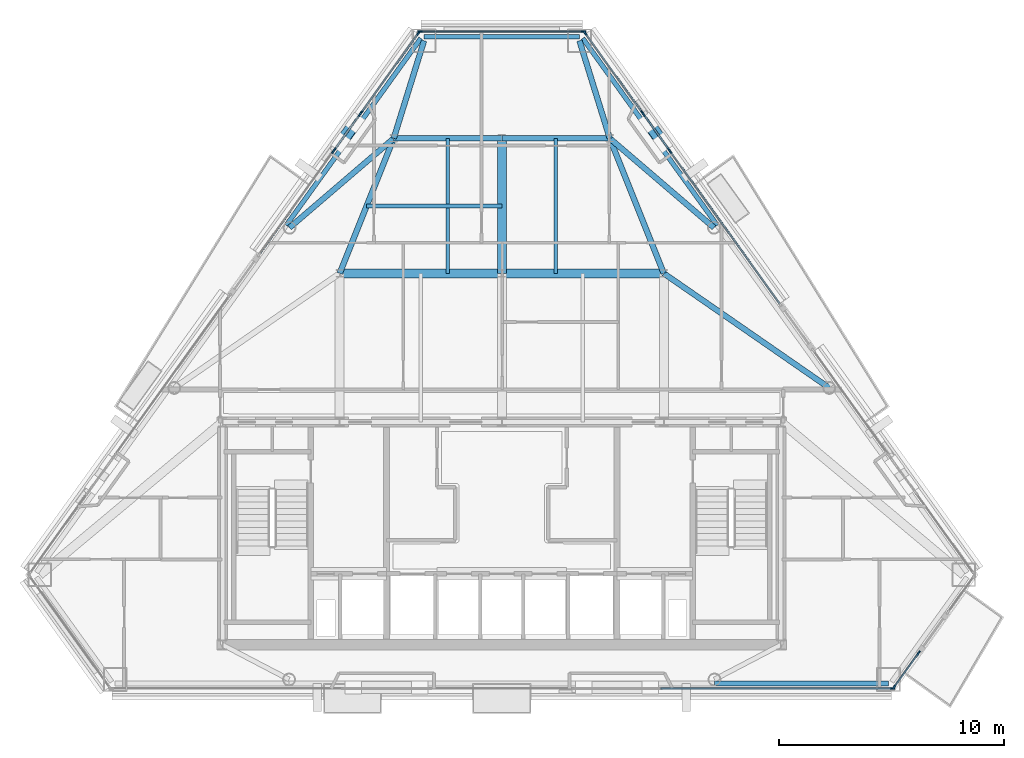
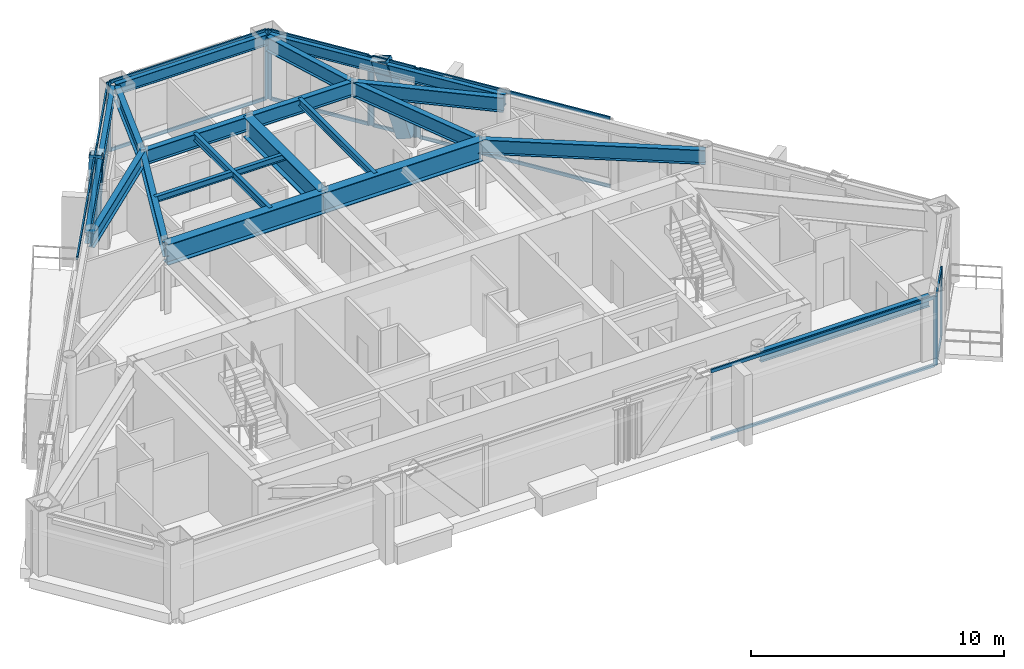
# One storey, part 4 of 12: 34 members, 19 beams, 9 elements without a shape of their own.
"""IFC4 building model written with IfcOpenShell, lengths in metres."""

from ifc_helpers import new_model, si_unit, direction, frame, origin, origin_2d, place, context, subcontext, project, spatial, rectangle, hollow_rectangle, i_section, extrude, material, layer, layer_set, material_profile, profile_set, type_object, element, aggregate, save


model = new_model("IFC4")

# Units and contexts
model_context = context("Model", 3, precision=1e-05, world=origin(), true_north=direction((0.0, 1.0)))
body_context = subcontext(model_context, "Body", "Model", "MODEL_VIEW")
ifc_project = project(units=[si_unit("LENGTHUNIT", "METRE"), si_unit("AREAUNIT", "SQUARE_METRE"), si_unit("VOLUMEUNIT", "CUBIC_METRE"), si_unit("PLANEANGLEUNIT", "RADIAN"), si_unit("MASSUNIT", "GRAM", prefix="KILO")], contexts=[model_context])

# Site, building, storey
site_placement = place(None, origin())
site = spatial("IfcSite", under=ifc_project, at=site_placement, CompositionType="ELEMENT")
building_placement = place(site_placement, origin())
building = spatial("IfcBuilding", under=site, at=building_placement, Name="Talgorran Terracotta Tower", CompositionType="ELEMENT")
storey_placement = place(building_placement, frame((0.0, 0.0, 192.89990234375)))
storey = spatial("IfcBuildingStorey", under=building, at=storey_placement, Name="L50", CompositionType="ELEMENT", Elevation=192.89990234375)

# Beams
ifc_material_1 = material(Name="Steel Grade 350 (350L0)", Category="steel")
ifc_material_profile_1 = material_profile(ifc_material_1, i_section(OverallWidth=0.39990234375, OverallDepth=1.0, WebThickness=0.01611328125, FlangeThickness=0.031005859375, at=origin_2d()), Name="1000WB296")
ifc_profile_set_1 = profile_set([ifc_material_profile_1], Name="Steel Grade 350 (350L0)")
beam_type_1 = type_object("IfcBeamType", Name="BM_1000WB296", PredefinedType="BEAM", material=ifc_profile_set_1)
for number, where, z_axis, x_axis, name in (
    (1, (-7.199951171875, 2.39990234375, 2.85009765625), (1.0, 0.0, 0.0), (0.0, 1.0, 0.0), "L50 Floor Girder G04"),
    (2, (0.0, 2.39990234375, 2.85009765625), (1.0, 0.0, 0.0), (0.0, 1.0, 0.0), "L50 Floor Girder G05"),
):
    element("IfcBeam", number, at=place(storey_placement, frame(where, z_axis=z_axis, x_axis=x_axis)), inside=storey, type_object=beam_type_1, Name=name, PredefinedType="BEAM", context=body_context, shape_type="SweptSolid", body=[
        extrude(i_section(OverallWidth=0.39990234375, OverallDepth=1.0, WebThickness=0.01611328125, FlangeThickness=0.031005859375, at=origin_2d()), origin(), (0.0, 0.0, 1.0), 7.199951171875),
    ])
beam_1_placement = place(storey_placement, frame((0.0, 2.39990234375, 2.85009765625), z_axis=(0.0, 1.0, 0.0), x_axis=(-1.0, 0.0, 0.0)))
element("IfcBeam", 3, at=beam_1_placement, inside=storey, type_object=beam_type_1, Name="L50 Floor Girder G09", PredefinedType="BEAM", context=body_context, shape_type="SweptSolid", body=[
    extrude(i_section(OverallWidth=0.39990234375, OverallDepth=1.0, WebThickness=0.01611328125, FlangeThickness=0.031005859375, at=origin_2d()), origin(), (0.0, 0.0, 1.0), 6.0),
])
ifc_material_2 = material(Name="Steel S355 (300PLUS)", Category="steel")
ifc_material_profile_2 = material_profile(ifc_material_2, i_section(OverallWidth=0.25, OverallDepth=0.699951171875, WebThickness=0.011962890625, FlangeThickness=0.02392578125, at=origin_2d()), Name="700WB150")
ifc_profile_set_2 = profile_set([ifc_material_profile_2], Name="Steel S355 (300PLUS)")
beam_type_2 = type_object("IfcBeamType", Name="BM_700WB150", PredefinedType="BEAM", material=ifc_profile_set_2)
beam_2_placement = place(storey_placement, frame((7.199951171875, 2.39990234375, 3.0), z_axis=(0.822270856927, -0.569096334419, 0.0), x_axis=(0.569096334419, 0.822270856927, 0.0)))
element("IfcBeam", 4, at=beam_2_placement, inside=storey, type_object=beam_type_2, Name="L50 Floor Girder G07", PredefinedType="BEAM", context=body_context, shape_type="SweptSolid", body=[
    extrude(i_section(OverallWidth=0.25, OverallDepth=0.699951171875, WebThickness=0.011962890625, FlangeThickness=0.02392578125, at=origin_2d()), origin(), (0.0, 0.0, 1.0), 8.937255859375),
])
for number, where, z_axis, x_axis, name in (
    (5, (-7.199951171875, 2.39990234375, 3.0), (0.371377648723, 0.928481901832, 0.0), (-0.928481901832, 0.371377648723, 0.0), "L50 Floor Girder G08"),
    (6, (7.199951171875, 2.39990234375, 3.0), (-0.371377648723, 0.928481901832, 0.0), (-0.928481901832, -0.371377648723, 0.0), "L50 Floor Girder G10"),
):
    element("IfcBeam", number, at=place(storey_placement, frame(where, z_axis=z_axis, x_axis=x_axis)), inside=storey, type_object=beam_type_2, Name=name, PredefinedType="BEAM", context=body_context, shape_type="SweptSolid", body=[
        extrude(i_section(OverallWidth=0.25, OverallDepth=0.699951171875, WebThickness=0.011962890625, FlangeThickness=0.02392578125, at=origin_2d()), origin(), (0.0, 0.0, 1.0), 6.462158203125),
    ])
for number, where, z_axis, x_axis, name in (
    (7, (-4.800048828125, 8.39990234375, 3.0), (1.0, 0.0, 0.0), (0.0, 1.0, 0.0), "L50 Floor Girder G11"),
    (8, (0.0, 8.39990234375, 3.0), (1.0, 0.0, 0.0), (0.0, 1.0, 0.0), "L50 Floor Girder G12"),
):
    element("IfcBeam", number, at=place(storey_placement, frame(where, z_axis=z_axis, x_axis=x_axis)), inside=storey, type_object=beam_type_2, Name=name, PredefinedType="BEAM", context=body_context, shape_type="SweptSolid", body=[
        extrude(i_section(OverallWidth=0.25, OverallDepth=0.699951171875, WebThickness=0.011962890625, FlangeThickness=0.02392578125, at=origin_2d()), origin(), (0.0, 0.0, 1.0), 4.800048828125),
    ])
for number, where, z_axis, x_axis, name in (
    (9, (-4.800048828125, 8.39990234375, 3.0), (-0.75920570373, -0.650850750499, 0.0), (0.650850750499, -0.75920570373, 0.0), "L50 Floor Girder G13"),
    (10, (4.800048828125, 8.39990234375, 3.0), (0.75920570373, -0.650850750499, 0.0), (0.650850750499, 0.75920570373, 0.0), "L50 Floor Girder G14"),
):
    element("IfcBeam", number, at=place(storey_placement, frame(where, z_axis=z_axis, x_axis=x_axis)), inside=storey, type_object=beam_type_2, Name=name, PredefinedType="BEAM", context=body_context, shape_type="SweptSolid", body=[
        extrude(i_section(OverallWidth=0.25, OverallDepth=0.699951171875, WebThickness=0.011962890625, FlangeThickness=0.02392578125, at=origin_2d()), origin(), (0.0, 0.0, 1.0), 6.0947265625),
    ])
for number, where, z_axis, x_axis, name in (
    (11, (-4.800048828125, 8.39990234375, 3.0), (0.296671316766, 0.954979648898, 0.0), (-0.954979648898, 0.296671316766, 0.0), "L50 Floor Girder G15"),
    (12, (4.800048828125, 8.39990234375, 3.0), (-0.296671316766, 0.954979648898, 0.0), (-0.954979648898, -0.296671316766, 0.0), "L50 Floor Girder G16"),
):
    element("IfcBeam", number, at=place(storey_placement, frame(where, z_axis=z_axis, x_axis=x_axis)), inside=storey, type_object=beam_type_2, Name=name, PredefinedType="BEAM", context=body_context, shape_type="SweptSolid", body=[
        extrude(i_section(OverallWidth=0.25, OverallDepth=0.699951171875, WebThickness=0.011962890625, FlangeThickness=0.02392578125, at=origin_2d()), origin(), (0.0, 0.0, 1.0), 4.54345703125),
    ])
ifc_material_profile_3 = material_profile(ifc_material_2, i_section(OverallWidth=0.17138671875, OverallDepth=0.355712890625, WebThickness=0.00732421875, FlangeThickness=0.011474609375, at=origin_2d()), Name="360UB50.7")
ifc_profile_set_3 = profile_set([ifc_material_profile_3], Name="Steel S355 (300PLUS)")
beam_type_3 = type_object("IfcBeamType", Name="BM_JS_360UB51", PredefinedType="JOIST", material=ifc_profile_set_3)
for number, where, z_axis, x_axis, name in (
    (13, (-2.39990234375, 2.39990234375, 3.17236328125), (0.0, 1.0, 0.0), (-1.0, 0.0, 0.0), "L50 Secondary Joist J03"),
    (14, (2.39990234375, 2.39990234375, 3.17236328125), (0.0, 1.0, 0.0), (-1.0, 0.0, 0.0), "L50 Secondary Joist J04"),
):
    element("IfcBeam", number, at=place(storey_placement, frame(where, z_axis=z_axis, x_axis=x_axis)), inside=storey, type_object=beam_type_3, Name=name, PredefinedType="JOIST", context=body_context, shape_type="SweptSolid", body=[
        extrude(i_section(OverallWidth=0.17138671875, OverallDepth=0.355712890625, WebThickness=0.00732421875, FlangeThickness=0.011474609375, at=origin_2d()), origin(), (0.0, 0.0, 1.0), 6.0),
    ])
ifc_material_profile_4 = material_profile(ifc_material_2, i_section(OverallWidth=0.1650390625, OverallDepth=0.303955078125, WebThickness=0.006103515625, FlangeThickness=0.01025390625, at=origin_2d()), Name="310UB40.4")
ifc_profile_set_4 = profile_set([ifc_material_profile_4], Name="Steel S355 (300PLUS)")
beam_type_4 = type_object("IfcBeamType", Name="BM_OL_310UB40", PredefinedType="BEAM", material=ifc_profile_set_4)
beam_3_placement = place(storey_placement, frame((-6.0, 5.39990234375, 3.197998046875), z_axis=(1.0, 0.0, 0.0), x_axis=(0.0, 1.0, 0.0)))
element("IfcBeam", 15, at=beam_3_placement, inside=storey, type_object=beam_type_4, Name="L50 Balcony Back-Span Tie Beam OL1", PredefinedType="BEAM", context=body_context, shape_type="SweptSolid", body=[
    extrude(i_section(OverallWidth=0.1650390625, OverallDepth=0.303955078125, WebThickness=0.006103515625, FlangeThickness=0.01025390625, at=origin_2d()), origin(), (0.0, 0.0, 1.0), 6.0),
])
ifc_material_profile_5 = material_profile(ifc_material_2, i_section(OverallWidth=0.209228515625, OverallDepth=0.532958984375, WebThickness=0.01025390625, FlangeThickness=0.015625, at=origin_2d()), Name="530UB92.4")
ifc_profile_set_5 = profile_set([ifc_material_profile_5], Name="Steel S355 (300PLUS)")
beam_type_5 = type_object("IfcBeamType", Name="BM_SP_530UB92", PredefinedType="SPANDREL", material=ifc_profile_set_5)
beam_4_placement = place(storey_placement, frame((9.44873046875, -15.821044921875, 3.08349609375), z_axis=(1.0, 0.0, 0.0), x_axis=(0.0, 1.0, 0.0)))
element("IfcBeam", 16, at=beam_4_placement, inside=storey, type_object=beam_type_5, Name="L50 Perimeter Spandrel Beam FC2-MC3", PredefinedType="SPANDREL", context=body_context, shape_type="SweptSolid", body=[
    extrude(i_section(OverallWidth=0.209228515625, OverallDepth=0.532958984375, WebThickness=0.01025390625, FlangeThickness=0.015625, at=origin_2d()), origin(), (0.0, 0.0, 1.0), 7.73095703125),
])
beam_5_placement = place(storey_placement, frame((9.573486328125, 4.5380859375, 3.08349609375), z_axis=(-0.583988509517, 0.811761923689, 0.0), x_axis=(-0.811761923689, -0.583988509517, 0.0)))
element("IfcBeam", 17, at=beam_5_placement, inside=storey, type_object=beam_type_5, Name="L50 Perimeter Spandrel Beam FC4-MC5", PredefinedType="SPANDREL", context=body_context, shape_type="SweptSolid", body=[
    extrude(i_section(OverallWidth=0.209228515625, OverallDepth=0.532958984375, WebThickness=0.01025390625, FlangeThickness=0.015625, at=origin_2d()), origin(), (0.0, 0.0, 1.0), 10.23193359375),
])
beam_6_placement = place(storey_placement, frame((3.4521484375, 12.918701171875, 3.08349609375), z_axis=(-1.0, 0.0, 0.0), x_axis=(0.0, -1.0, 0.0)))
element("IfcBeam", 18, at=beam_6_placement, inside=storey, type_object=beam_type_5, Name="L50 Perimeter Spandrel Beam MC5-MC6", PredefinedType="SPANDREL", context=body_context, shape_type="SweptSolid", body=[
    extrude(i_section(OverallWidth=0.209228515625, OverallDepth=0.532958984375, WebThickness=0.01025390625, FlangeThickness=0.015625, at=origin_2d()), origin(), (0.0, 0.0, 1.0), 6.904296875),
])
beam_7_placement = place(storey_placement, frame((-3.59814453125, 12.843994140625, 3.08349609375), z_axis=(-0.583988509517, -0.811761923689, 0.0), x_axis=(0.811761923689, -0.583988509517, 0.0)))
element("IfcBeam", 19, at=beam_7_placement, inside=storey, type_object=beam_type_5, Name="L50 Perimeter Spandrel Beam MC6-FC5", PredefinedType="SPANDREL", context=body_context, shape_type="SweptSolid", body=[
    extrude(i_section(OverallWidth=0.209228515625, OverallDepth=0.532958984375, WebThickness=0.01025390625, FlangeThickness=0.015625, at=origin_2d()), origin(), (0.0, 0.0, 1.0), 10.23193359375),
])

# Members
ifc_material_profile_6 = material_profile(ifc_material_1, hollow_rectangle(XDim=0.52001953125, YDim=0.659912109375, WallThickness=0.034912109375, at=origin_2d()), Name="WBOX660X520X35")
ifc_profile_set_6 = profile_set([ifc_material_profile_6], Name="Steel Grade 350 (350L0)")
member_type_1 = type_object("IfcMemberType", Name="MB_MEGA_660", PredefinedType="BRACE", material=ifc_profile_set_6)
for number, where, z_axis, x_axis, name in (
    (20, (7.15478515625, 8.208251953125, -0.02490234375), (-0.179509082132, 0.249481408018, 0.951596299113), (-0.811715631189, -0.584052852132, 0.0), "L50 Exterior Face Mega-Brace MB-3 (NEU)"),
    (21, (-7.15478515625, 8.208251953125, -0.02490234375), (0.179509082132, 0.249481408018, 0.951596299113), (-0.811715631189, 0.584052852132, 0.0), "L50 Exterior Face Mega-Brace MB-3 (NWU)"),
):
    element("IfcMember", number, at=place(storey_placement, frame(where, z_axis=z_axis, x_axis=x_axis)), inside=storey, type_object=member_type_1, Name=name, PredefinedType="BRACE", context=body_context, shape_type="SweptSolid", body=[
        extrude(hollow_rectangle(XDim=0.52001953125, YDim=0.659912109375, WallThickness=0.034912109375, at=origin_2d()), origin(), (0.0, 0.0, 1.0), 3.57275390625),
    ])

# Curtain wall, member
ifc_material_3 = material(Name="High-Wind Unitised Glazing", Category="glass")
ifc_layer = layer(ifc_material_3, 0.2099609375, Name="CW_SYS3_RES_HIGH")
ifc_layer_set = layer_set([ifc_layer], Name="High-Wind Unitised Glazing")
curtain_wall_type = type_object("IfcCurtainWallType", Name="CW_SYS3_RES_HIGH", PredefinedType="NOTDEFINED", material=ifc_layer_set)
curtain_wall_1_placement = place(storey_placement, origin())
curtain_wall_1 = element("IfcCurtainWall", 22, at=curtain_wall_1_placement, inside=storey, type_object=curtain_wall_type, Name="CW-L50-F1E", PredefinedType="NOTDEFINED")
ifc_material_4 = material(Name="Architectural Aluminium 6063-T6", Category="aluminium")
ifc_material_profile_7 = material_profile(ifc_material_4, rectangle(XDim=0.070068359375, YDim=0.199951171875, at=origin_2d()), Name="CWM70X200")
ifc_profile_set_7 = profile_set([ifc_material_profile_7], Name="Architectural Aluminium 6063-T6")
member_type_2 = type_object("IfcMemberType", Name="MUL_70X200", PredefinedType="MULLION", material=ifc_profile_set_7)
member_1_placement = place(storey_placement, frame((17.349609375, -16.041015625, 0.0), z_axis=(0.0, 0.0, 1.0), x_axis=(0.0, 1.0, 0.0)))
member_1 = element("IfcMember", 23, at=member_1_placement, type_object=member_type_2, Name="CW-L50-1E mullion 2", PredefinedType="MULLION", context=body_context, shape_type="SweptSolid", body=[
    extrude(rectangle(XDim=0.070068359375, YDim=0.199951171875, at=origin_2d()), origin(), (0.0, 0.0, 1.0), 3.35009765625),
])

# Curtain wall, members
curtain_wall_2_placement = place(storey_placement, origin())
curtain_wall_2 = element("IfcCurtainWall", 24, at=curtain_wall_2_placement, inside=storey, type_object=curtain_wall_type, Name="CW-L50-F30", PredefinedType="NOTDEFINED")
member_2_placement = place(storey_placement, frame((17.428466796875, -15.980224609375, 0.0), z_axis=(0.0, 0.0, 1.0), x_axis=(-0.811770568062, 0.583976493387, 0.0)))
member_2 = element("IfcMember", 25, at=member_2_placement, type_object=member_type_2, Name="CW-L50-30 mullion 1", PredefinedType="MULLION", context=body_context, shape_type="SweptSolid", body=[
    extrude(rectangle(XDim=0.070068359375, YDim=0.199951171875, at=origin_2d()), origin(), (0.0, 0.0, 1.0), 3.35009765625),
])
member_3_placement = place(storey_placement, frame((18.52197265625, -14.460205078125, 0.0), z_axis=(0.0, 0.0, 1.0), x_axis=(-0.811770568062, 0.583976493387, 0.0)))
member_3 = element("IfcMember", 26, at=member_3_placement, type_object=member_type_2, Name="CW-L50-30 mullion 2", PredefinedType="MULLION", context=body_context, shape_type="SweptSolid", body=[
    extrude(rectangle(XDim=0.070068359375, YDim=0.199951171875, at=origin_2d()), origin(), (0.0, 0.0, 1.0), 3.35009765625),
])

# Curtain wall, member
curtain_wall_3_placement = place(storey_placement, origin())
curtain_wall_3 = element("IfcCurtainWall", 27, at=curtain_wall_3_placement, inside=storey, type_object=curtain_wall_type, Name="CW-L50-F41", PredefinedType="NOTDEFINED")
member_4_placement = place(storey_placement, frame((7.481689453125, 7.822509765625, 0.0), z_axis=(0.0, 0.0, 1.0), x_axis=(-0.8117635815, -0.583986205103, 0.0)))
member_4 = element("IfcMember", 28, at=member_4_placement, type_object=member_type_2, Name="CW-L50-41 mullion 2", PredefinedType="MULLION", context=body_context, shape_type="SweptSolid", body=[
    extrude(rectangle(XDim=0.070068359375, YDim=0.199951171875, at=origin_2d()), origin(), (0.0, 0.0, 1.0), 3.35009765625),
])

# Curtain wall, members
curtain_wall_4_placement = place(storey_placement, origin())
curtain_wall_4 = element("IfcCurtainWall", 29, at=curtain_wall_4_placement, inside=storey, type_object=curtain_wall_type, Name="CW-L50-F41B", PredefinedType="NOTDEFINED")
member_5_placement = place(storey_placement, frame((7.43505859375, 7.887451171875, 0.0), z_axis=(0.0, 0.0, 1.0), x_axis=(-0.811734675146, -0.584026383963, 0.0)))
member_5 = element("IfcMember", 30, at=member_5_placement, type_object=member_type_2, Name="CW-L50-41B mullion 1", PredefinedType="MULLION", context=body_context, shape_type="SweptSolid", body=[
    extrude(rectangle(XDim=0.070068359375, YDim=0.199951171875, at=origin_2d()), origin(), (0.0, 0.0, 1.0), 3.35009765625),
])
member_6_placement = place(storey_placement, frame((6.29833984375, 9.46728515625, 0.0), z_axis=(0.0, 0.0, 1.0), x_axis=(-0.811734675146, -0.584026383963, 0.0)))
member_6 = element("IfcMember", 31, at=member_6_placement, type_object=member_type_2, Name="CW-L50-41B mullion 2", PredefinedType="MULLION", context=body_context, shape_type="SweptSolid", body=[
    extrude(rectangle(XDim=0.070068359375, YDim=0.199951171875, at=origin_2d()), origin(), (0.0, 0.0, 1.0), 3.35009765625),
])

curtain_wall_5_placement = place(storey_placement, origin())
curtain_wall_5 = element("IfcCurtainWall", 32, at=curtain_wall_5_placement, inside=storey, type_object=curtain_wall_type, Name="CW-L50-F41C", PredefinedType="NOTDEFINED")
member_7_placement = place(storey_placement, frame((6.251708984375, 9.5322265625, 0.0), z_axis=(0.0, 0.0, 1.0), x_axis=(-0.811769346012, -0.583978192123, 0.0)))
member_7 = element("IfcMember", 33, at=member_7_placement, type_object=member_type_2, Name="CW-L50-41C mullion 1", PredefinedType="MULLION", context=body_context, shape_type="SweptSolid", body=[
    extrude(rectangle(XDim=0.070068359375, YDim=0.199951171875, at=origin_2d()), origin(), (0.0, 0.0, 1.0), 3.35009765625),
])
member_8_placement = place(storey_placement, frame((3.700927734375, 13.077880859375, 0.0), z_axis=(0.0, 0.0, 1.0), x_axis=(-0.811769346012, -0.583978192123, 0.0)))
member_8 = element("IfcMember", 34, at=member_8_placement, type_object=member_type_2, Name="CW-L50-41C mullion 2", PredefinedType="MULLION", context=body_context, shape_type="SweptSolid", body=[
    extrude(rectangle(XDim=0.070068359375, YDim=0.199951171875, at=origin_2d()), origin(), (0.0, 0.0, 1.0), 3.35009765625),
])

curtain_wall_6_placement = place(storey_placement, origin())
curtain_wall_6 = element("IfcCurtainWall", 35, at=curtain_wall_6_placement, inside=storey, type_object=curtain_wall_type, Name="CW-L50-F4", PredefinedType="NOTDEFINED")
member_9_placement = place(storey_placement, frame((3.6220703125, 13.138916015625, 0.0), z_axis=(0.0, 0.0, 1.0), x_axis=(0.0, -1.0, 0.0)))
member_9 = element("IfcMember", 36, at=member_9_placement, type_object=member_type_2, Name="CW-L50-4 mullion 1", PredefinedType="MULLION", context=body_context, shape_type="SweptSolid", body=[
    extrude(rectangle(XDim=0.070068359375, YDim=0.199951171875, at=origin_2d()), origin(), (0.0, 0.0, 1.0), 3.35009765625),
])
member_10_placement = place(storey_placement, frame((-3.6220703125, 13.138916015625, 0.0), z_axis=(0.0, 0.0, 1.0), x_axis=(0.0, -1.0, 0.0)))
member_10 = element("IfcMember", 37, at=member_10_placement, type_object=member_type_2, Name="CW-L50-4 mullion 2", PredefinedType="MULLION", context=body_context, shape_type="SweptSolid", body=[
    extrude(rectangle(XDim=0.070068359375, YDim=0.199951171875, at=origin_2d()), origin(), (0.0, 0.0, 1.0), 3.35009765625),
])

curtain_wall_7_placement = place(storey_placement, origin())
curtain_wall_7 = element("IfcCurtainWall", 38, at=curtain_wall_7_placement, inside=storey, type_object=curtain_wall_type, Name="CW-L50-F60", PredefinedType="NOTDEFINED")
member_11_placement = place(storey_placement, frame((-3.700927734375, 13.077880859375, 0.0), z_axis=(0.0, 0.0, 1.0), x_axis=(0.811769346012, -0.583978192123, 0.0)))
member_11 = element("IfcMember", 39, at=member_11_placement, type_object=member_type_2, Name="CW-L50-60 mullion 1", PredefinedType="MULLION", context=body_context, shape_type="SweptSolid", body=[
    extrude(rectangle(XDim=0.070068359375, YDim=0.199951171875, at=origin_2d()), origin(), (0.0, 0.0, 1.0), 3.35009765625),
])
member_12_placement = place(storey_placement, frame((-6.251708984375, 9.5322265625, 0.0), z_axis=(0.0, 0.0, 1.0), x_axis=(0.811769346012, -0.583978192123, 0.0)))
member_12 = element("IfcMember", 40, at=member_12_placement, type_object=member_type_2, Name="CW-L50-60 mullion 2", PredefinedType="MULLION", context=body_context, shape_type="SweptSolid", body=[
    extrude(rectangle(XDim=0.070068359375, YDim=0.199951171875, at=origin_2d()), origin(), (0.0, 0.0, 1.0), 3.35009765625),
])

curtain_wall_8_placement = place(storey_placement, origin())
curtain_wall_8 = element("IfcCurtainWall", 41, at=curtain_wall_8_placement, inside=storey, type_object=curtain_wall_type, Name="CW-L50-F60B", PredefinedType="NOTDEFINED")
member_13_placement = place(storey_placement, frame((-6.29833984375, 9.46728515625, 0.0), z_axis=(0.0, 0.0, 1.0), x_axis=(0.811758188715, -0.583993701211, 0.0)))
member_13 = element("IfcMember", 42, at=member_13_placement, type_object=member_type_2, Name="CW-L50-60B mullion 1", PredefinedType="MULLION", context=body_context, shape_type="SweptSolid", body=[
    extrude(rectangle(XDim=0.070068359375, YDim=0.199951171875, at=origin_2d()), origin(), (0.0, 0.0, 1.0), 3.35009765625),
])
member_14_placement = place(storey_placement, frame((-7.43505859375, 7.887451171875, 0.0), z_axis=(0.0, 0.0, 1.0), x_axis=(0.811758188715, -0.583993701211, 0.0)))
member_14 = element("IfcMember", 43, at=member_14_placement, type_object=member_type_2, Name="CW-L50-60B mullion 2", PredefinedType="MULLION", context=body_context, shape_type="SweptSolid", body=[
    extrude(rectangle(XDim=0.070068359375, YDim=0.199951171875, at=origin_2d()), origin(), (0.0, 0.0, 1.0), 3.35009765625),
])

# Curtain wall, member
curtain_wall_9_placement = place(storey_placement, origin())
curtain_wall_9 = element("IfcCurtainWall", 44, at=curtain_wall_9_placement, inside=storey, type_object=curtain_wall_type, Name="CW-L50-F60C", PredefinedType="NOTDEFINED")
member_15_placement = place(storey_placement, frame((-7.481689453125, 7.822509765625, 0.0), z_axis=(0.0, 0.0, 1.0), x_axis=(0.811759391951, -0.583992028695, 0.0)))
member_15 = element("IfcMember", 45, at=member_15_placement, type_object=member_type_2, Name="CW-L50-60C mullion 1", PredefinedType="MULLION", context=body_context, shape_type="SweptSolid", body=[
    extrude(rectangle(XDim=0.070068359375, YDim=0.199951171875, at=origin_2d()), origin(), (0.0, 0.0, 1.0), 3.35009765625),
])

# Member
ifc_material_profile_8 = material_profile(ifc_material_4, rectangle(XDim=0.070068359375, YDim=0.159912109375, at=origin_2d()), Name="CWT70X160")
ifc_profile_set_8 = profile_set([ifc_material_profile_8], Name="Architectural Aluminium 6063-T6")
member_type_3 = type_object("IfcMemberType", Name="TRN_70X160", PredefinedType="USERDEFINED", material=ifc_profile_set_8)
member_16_placement = place(storey_placement, frame((7.072509765625, -16.041015625, 0.03515625), z_axis=(1.0, 0.0, 0.0), x_axis=(0.0, 1.0, 0.0)))
member_16 = element("IfcMember", 46, at=member_16_placement, type_object=member_type_3, Name="CW-L50-1E transom 1.1", ObjectType="TRANSOM", PredefinedType="USERDEFINED", context=body_context, shape_type="SweptSolid", body=[
    extrude(rectangle(XDim=0.070068359375, YDim=0.159912109375, at=origin_2d()), origin(), (0.0, 0.0, 1.0), 10.2421875),
])

member_17_placement = place(storey_placement, frame((7.072509765625, -16.041015625, 3.315185546875), z_axis=(1.0, 0.0, 0.0), x_axis=(0.0, 1.0, 0.0)))
member_17 = element("IfcMember", 47, at=member_17_placement, type_object=member_type_3, Name="CW-L50-1E transom 1.2", ObjectType="TRANSOM", PredefinedType="USERDEFINED", context=body_context, shape_type="SweptSolid", body=[
    extrude(rectangle(XDim=0.070068359375, YDim=0.159912109375, at=origin_2d()), origin(), (0.0, 0.0, 1.0), 10.2421875),
])

aggregate(curtain_wall_1, [member_1, member_16, member_17])

member_18_placement = place(storey_placement, frame((17.448974609375, -15.95166015625, 0.03515625), z_axis=(0.584040654846, 0.81172440735, 0.0), x_axis=(-0.81172440735, 0.584040654846, 0.0)))
member_18 = element("IfcMember", 48, at=member_18_placement, type_object=member_type_3, Name="CW-L50-30 transom 1.1", ObjectType="TRANSOM", PredefinedType="USERDEFINED", context=body_context, shape_type="SweptSolid", body=[
    extrude(rectangle(XDim=0.070068359375, YDim=0.159912109375, at=origin_2d()), origin(), (0.0, 0.0, 1.0), 1.802490234375),
])

member_19_placement = place(storey_placement, frame((17.448974609375, -15.95166015625, 3.315185546875), z_axis=(0.584040654846, 0.81172440735, 0.0), x_axis=(-0.81172440735, 0.584040654846, 0.0)))
member_19 = element("IfcMember", 49, at=member_19_placement, type_object=member_type_3, Name="CW-L50-30 transom 1.2", ObjectType="TRANSOM", PredefinedType="USERDEFINED", context=body_context, shape_type="SweptSolid", body=[
    extrude(rectangle(XDim=0.070068359375, YDim=0.159912109375, at=origin_2d()), origin(), (0.0, 0.0, 1.0), 1.802490234375),
])

aggregate(curtain_wall_2, [member_2, member_3, member_18, member_19])

member_20_placement = place(storey_placement, frame((12.347412109375, 1.058837890625, 0.03515625), z_axis=(-0.583968257209, 0.811776492991, 0.0), x_axis=(-0.811776492991, -0.583968257209, 0.0)))
member_20 = element("IfcMember", 50, at=member_20_placement, type_object=member_type_3, Name="CW-L50-41 transom 1.1", ObjectType="TRANSOM", PredefinedType="USERDEFINED", context=body_context, shape_type="SweptSolid", body=[
    extrude(rectangle(XDim=0.070068359375, YDim=0.159912109375, at=origin_2d()), origin(), (0.0, 0.0, 1.0), 8.297119140625),
])

member_21_placement = place(storey_placement, frame((12.347412109375, 1.058837890625, 3.315185546875), z_axis=(-0.583968257209, 0.811776492991, 0.0), x_axis=(-0.811776492991, -0.583968257209, 0.0)))
member_21 = element("IfcMember", 51, at=member_21_placement, type_object=member_type_3, Name="CW-L50-41 transom 1.2", ObjectType="TRANSOM", PredefinedType="USERDEFINED", context=body_context, shape_type="SweptSolid", body=[
    extrude(rectangle(XDim=0.070068359375, YDim=0.159912109375, at=origin_2d()), origin(), (0.0, 0.0, 1.0), 8.297119140625),
])

aggregate(curtain_wall_3, [member_4, member_20, member_21])

member_22_placement = place(storey_placement, frame((7.41455078125, 7.916015625, 0.03515625), z_axis=(-0.584016733465, 0.811741618394, 0.0), x_axis=(-0.811741618394, -0.584016733465, 0.0)))
member_22 = element("IfcMember", 52, at=member_22_placement, type_object=member_type_3, Name="CW-L50-41B transom 1.1", ObjectType="TRANSOM", PredefinedType="USERDEFINED", context=body_context, shape_type="SweptSolid", body=[
    extrude(rectangle(XDim=0.070068359375, YDim=0.159912109375, at=origin_2d()), origin(), (0.0, 0.0, 1.0), 1.876220703125),
])

member_23_placement = place(storey_placement, frame((7.41455078125, 7.916015625, 3.315185546875), z_axis=(-0.584016733465, 0.811741618394, 0.0), x_axis=(-0.811741618394, -0.584016733465, 0.0)))
member_23 = element("IfcMember", 53, at=member_23_placement, type_object=member_type_3, Name="CW-L50-41B transom 1.2", ObjectType="TRANSOM", PredefinedType="USERDEFINED", context=body_context, shape_type="SweptSolid", body=[
    extrude(rectangle(XDim=0.070068359375, YDim=0.159912109375, at=origin_2d()), origin(), (0.0, 0.0, 1.0), 1.876220703125),
])

aggregate(curtain_wall_4, [member_5, member_6, member_22, member_23])

member_24_placement = place(storey_placement, frame((6.231201171875, 9.560546875, 0.03515625), z_axis=(-0.583948520191, 0.81179069086, 0.0), x_axis=(-0.81179069086, -0.583948520191, 0.0)))
member_24 = element("IfcMember", 54, at=member_24_placement, type_object=member_type_3, Name="CW-L50-41C transom 1.1", ObjectType="TRANSOM", PredefinedType="USERDEFINED", context=body_context, shape_type="SweptSolid", body=[
    extrude(rectangle(XDim=0.070068359375, YDim=0.159912109375, at=origin_2d()), origin(), (0.0, 0.0, 1.0), 4.2978515625),
])

member_25_placement = place(storey_placement, frame((6.231201171875, 9.560546875, 3.315185546875), z_axis=(-0.583948520191, 0.81179069086, 0.0), x_axis=(-0.81179069086, -0.583948520191, 0.0)))
member_25 = element("IfcMember", 55, at=member_25_placement, type_object=member_type_3, Name="CW-L50-41C transom 1.2", ObjectType="TRANSOM", PredefinedType="USERDEFINED", context=body_context, shape_type="SweptSolid", body=[
    extrude(rectangle(XDim=0.070068359375, YDim=0.159912109375, at=origin_2d()), origin(), (0.0, 0.0, 1.0), 4.2978515625),
])

aggregate(curtain_wall_5, [member_7, member_8, member_24, member_25])

member_26_placement = place(storey_placement, frame((3.587158203125, 13.138916015625, 0.03515625), z_axis=(-1.0, 0.0, 0.0), x_axis=(0.0, -1.0, 0.0)))
member_26 = element("IfcMember", 56, at=member_26_placement, type_object=member_type_3, Name="CW-L50-4 transom 1.1", ObjectType="TRANSOM", PredefinedType="USERDEFINED", context=body_context, shape_type="SweptSolid", body=[
    extrude(rectangle(XDim=0.070068359375, YDim=0.159912109375, at=origin_2d()), origin(), (0.0, 0.0, 1.0), 7.17431640625),
])

member_27_placement = place(storey_placement, frame((3.587158203125, 13.138916015625, 3.315185546875), z_axis=(-1.0, 0.0, 0.0), x_axis=(0.0, -1.0, 0.0)))
member_27 = element("IfcMember", 57, at=member_27_placement, type_object=member_type_3, Name="CW-L50-4 transom 1.2", ObjectType="TRANSOM", PredefinedType="USERDEFINED", context=body_context, shape_type="SweptSolid", body=[
    extrude(rectangle(XDim=0.070068359375, YDim=0.159912109375, at=origin_2d()), origin(), (0.0, 0.0, 1.0), 7.17431640625),
])

aggregate(curtain_wall_6, [member_9, member_10, member_26, member_27])

member_28_placement = place(storey_placement, frame((-3.721435546875, 13.049560546875, 0.03515625), z_axis=(-0.583948520191, -0.81179069086, 0.0), x_axis=(0.81179069086, -0.583948520191, 0.0)))
member_28 = element("IfcMember", 58, at=member_28_placement, type_object=member_type_3, Name="CW-L50-60 transom 1.1", ObjectType="TRANSOM", PredefinedType="USERDEFINED", context=body_context, shape_type="SweptSolid", body=[
    extrude(rectangle(XDim=0.070068359375, YDim=0.159912109375, at=origin_2d()), origin(), (0.0, 0.0, 1.0), 4.2978515625),
])

member_29_placement = place(storey_placement, frame((-3.721435546875, 13.049560546875, 3.315185546875), z_axis=(-0.583948520191, -0.81179069086, 0.0), x_axis=(0.81179069086, -0.583948520191, 0.0)))
member_29 = element("IfcMember", 59, at=member_29_placement, type_object=member_type_3, Name="CW-L50-60 transom 1.2", ObjectType="TRANSOM", PredefinedType="USERDEFINED", context=body_context, shape_type="SweptSolid", body=[
    extrude(rectangle(XDim=0.070068359375, YDim=0.159912109375, at=origin_2d()), origin(), (0.0, 0.0, 1.0), 4.2978515625),
])

aggregate(curtain_wall_7, [member_11, member_12, member_28, member_29])

member_30_placement = place(storey_placement, frame((-6.31884765625, 9.43896484375, 0.03515625), z_axis=(-0.584016733465, -0.811741618394, 0.0), x_axis=(0.811741618394, -0.584016733465, 0.0)))
member_30 = element("IfcMember", 60, at=member_30_placement, type_object=member_type_3, Name="CW-L50-60B transom 1.1", ObjectType="TRANSOM", PredefinedType="USERDEFINED", context=body_context, shape_type="SweptSolid", body=[
    extrude(rectangle(XDim=0.070068359375, YDim=0.159912109375, at=origin_2d()), origin(), (0.0, 0.0, 1.0), 1.876220703125),
])

member_31_placement = place(storey_placement, frame((-6.31884765625, 9.43896484375, 3.315185546875), z_axis=(-0.584016733465, -0.811741618394, 0.0), x_axis=(0.811741618394, -0.584016733465, 0.0)))
member_31 = element("IfcMember", 61, at=member_31_placement, type_object=member_type_3, Name="CW-L50-60B transom 1.2", ObjectType="TRANSOM", PredefinedType="USERDEFINED", context=body_context, shape_type="SweptSolid", body=[
    extrude(rectangle(XDim=0.070068359375, YDim=0.159912109375, at=origin_2d()), origin(), (0.0, 0.0, 1.0), 1.876220703125),
])

aggregate(curtain_wall_8, [member_13, member_14, member_30, member_31])

member_32_placement = place(storey_placement, frame((-7.502197265625, 7.794189453125, 3.315185546875), z_axis=(-0.583982498556, -0.811766247993, 0.0), x_axis=(0.811766247993, -0.583982498556, 0.0)))
member_32 = element("IfcMember", 62, at=member_32_placement, type_object=member_type_3, Name="CW-L50-60C transom 1.2", ObjectType="TRANSOM", PredefinedType="USERDEFINED", context=body_context, shape_type="SweptSolid", body=[
    extrude(rectangle(XDim=0.070068359375, YDim=0.159912109375, at=origin_2d()), origin(), (0.0, 0.0, 1.0), 5.589599609375),
])

aggregate(curtain_wall_9, [member_15, member_32])

save(model, "model.ifc")
